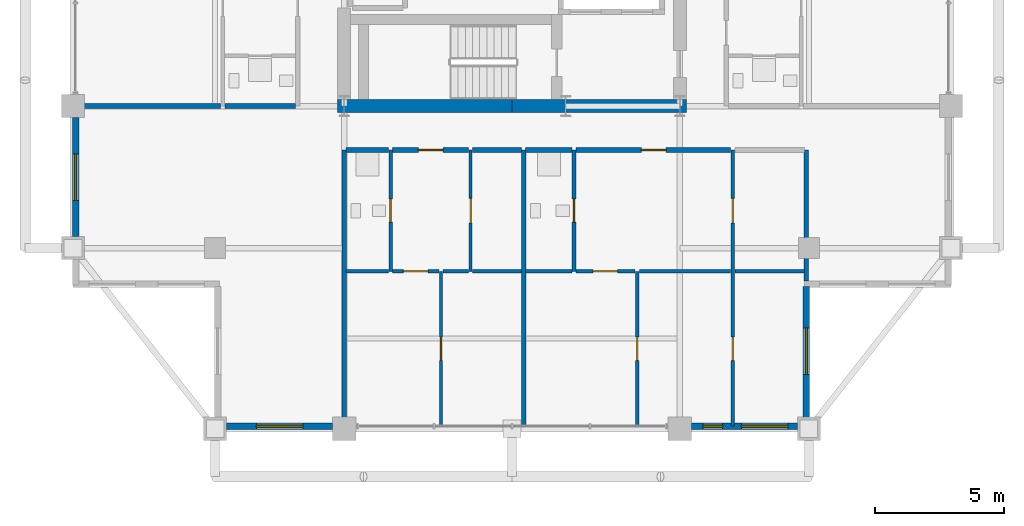
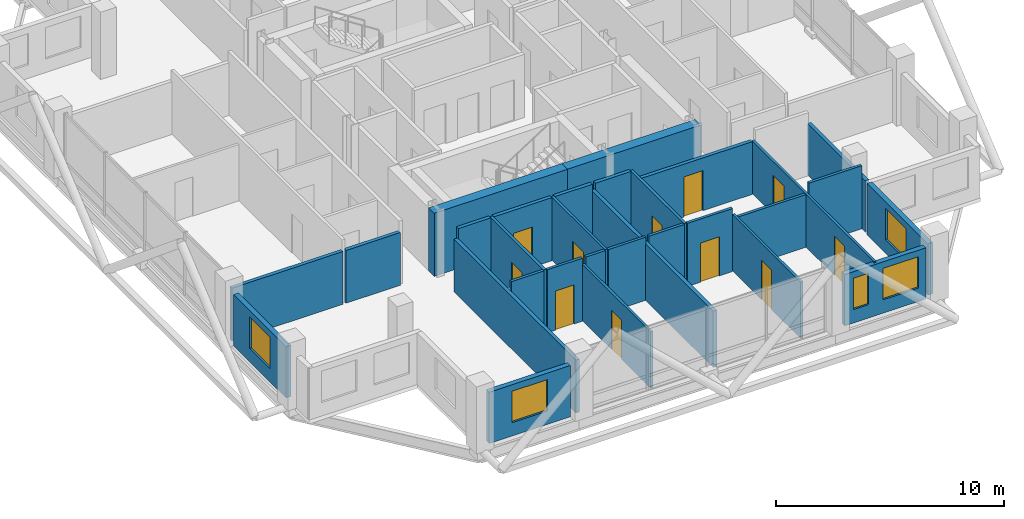
# One storey, part 19 of 25: 30 walls, 11 doors, 5 windows, 16 openings.
"""IFC4 building model written with IfcOpenShell, lengths in metres."""

from ifc_helpers import new_model, si_unit, direction, frame, frame_2d, origin, place, context, subcontext, project, spatial, rectangle, extrude, material, layer, layer_set, type_object, element, fill, save


model = new_model("IFC4")

# Units and contexts
model_context = context("Model", 3, precision=1e-05, world=origin(), true_north=direction((0.0, 1.0)))
body_context = subcontext(model_context, "Body", "Model", "MODEL_VIEW")
ifc_project = project(units=[si_unit("LENGTHUNIT", "METRE"), si_unit("AREAUNIT", "SQUARE_METRE"), si_unit("VOLUMEUNIT", "CUBIC_METRE"), si_unit("PLANEANGLEUNIT", "RADIAN"), si_unit("MASSUNIT", "GRAM", prefix="KILO")], contexts=[model_context])

# Site, building, storey
site_placement = place(None, origin())
site = spatial("IfcSite", under=ifc_project, at=site_placement, CompositionType="ELEMENT")
building_placement = place(site_placement, origin())
building = spatial("IfcBuilding", under=site, at=building_placement, Name="Barlavira Tower and Art Museum", CompositionType="ELEMENT")
storey_placement = place(building_placement, frame((0.0, 0.0, 229.5)))
storey = spatial("IfcBuildingStorey", under=building, at=storey_placement, Name="L59", CompositionType="ELEMENT", Elevation=229.5)

# Wall, opening, door
ifc_material_1 = material(Name="Gypsum acoustic stud partition", Category="gypsum")
ifc_layer_1 = layer(ifc_material_1, 0.1201171875, Name="Gypsum acoustic stud partition")
ifc_layer_set_1 = layer_set([ifc_layer_1], Name="Gypsum acoustic stud partition")
wall_type_1 = type_object("IfcWallType", Name="Apartment Internal Acoustic Partition 120", PredefinedType="PARTITIONING", material=ifc_layer_set_1)
wall_1_placement = place(storey_placement, frame((-2.75, -19.89990234375, 0.0), z_axis=(0.0, 0.0, 1.0), x_axis=(0.0, 1.0, 0.0)))
wall_1 = element("IfcWall", 1, at=wall_1_placement, inside=storey, type_object=wall_type_1, Name="L59 Partition Wall 9", PredefinedType="PARTITIONING", context=body_context, shape_type="SweptSolid", body=[
    extrude(rectangle(XDim=6.0, YDim=0.1201171875, at=frame_2d((3.0, 0.0))), origin(), (0.0, 0.0, 1.0), 3.01806640625),
])
opening_1_placement = place(wall_1_placement, frame((2.550048828125, 0.0, 0.0)))
opening_1 = element("IfcOpeningElement", 2, at=opening_1_placement, cuts=wall_1, Name="Opening D-01", PredefinedType="OPENING", context=body_context, shape_type="SweptSolid", body=[
    extrude(rectangle(XDim=0.89990234375, YDim=2.10009765625, at=frame_2d((0.449951171875, 1.050048828125))), frame((0.0, 0.070068359375, 0.0), z_axis=(0.0, -1.0, 0.0), x_axis=(1.0, 0.0, 0.0)), (0.0, 0.0, 1.0), 0.14013671875),
])
ifc_material_2 = material(Name="Engineered coastal hardwood", Category="wood")
door_type_1 = type_object("IfcDoorType", Name="Internal Bedroom Timber Flush Door 900x2100", OperationType="NOTDEFINED", PredefinedType="DOOR", material=ifc_material_2)
door_1_placement = place(opening_1_placement, origin())
door_1 = element("IfcDoor", 3, at=door_1_placement, inside=storey, type_object=door_type_1, Name="Apartment S1 Bedroom 1 Door", OperationType="SINGLE_SWING_RIGHT", OverallHeight=2.10009765625, OverallWidth=0.89990234375, PredefinedType="DOOR", context=body_context, shape_type="SweptSolid", body=[
    extrude(rectangle(XDim=0.89990234375, YDim=2.10009765625, at=frame_2d((0.449951171875, 1.050048828125))), frame((0.0, 0.02490234375, 0.0), z_axis=(0.0, -1.0, 0.0), x_axis=(1.0, 0.0, 0.0)), (0.0, 0.0, 1.0), 0.050048828125),
])
fill(opening_1, door_1)

wall_2_placement = place(storey_placement, frame((-1.60009765625, -13.89990234375, 0.0), z_axis=(0.0, 0.0, 1.0), x_axis=(0.0, 1.0, 0.0)))
wall_2 = element("IfcWall", 4, at=wall_2_placement, inside=storey, type_object=wall_type_1, Name="L59 Partition Wall 11", PredefinedType="PARTITIONING", context=body_context, shape_type="SweptSolid", body=[
    extrude(rectangle(XDim=4.699951171875, YDim=0.1201171875, at=frame_2d((2.35009765625, 0.0))), origin(), (0.0, 0.0, 1.0), 3.3798828125),
])
opening_2_placement = place(wall_2_placement, frame((1.875, 0.0, 0.0)))
opening_2 = element("IfcOpeningElement", 5, at=opening_2_placement, cuts=wall_2, Name="Opening D-02", PredefinedType="OPENING", context=body_context, shape_type="SweptSolid", body=[
    extrude(rectangle(XDim=0.949951171875, YDim=2.10009765625, at=frame_2d((0.47509765625, 1.050048828125))), frame((0.0, 0.070068359375, 0.0), z_axis=(0.0, -1.0, 0.0), x_axis=(1.0, 0.0, 0.0)), (0.0, 0.0, 1.0), 0.14013671875),
])
door_type_2 = type_object("IfcDoorType", Name="Living and Salon Glazed-Leaf Door 950x2100", OperationType="NOTDEFINED", PredefinedType="DOOR", material=ifc_material_2)
door_2_placement = place(opening_2_placement, origin())
door_2 = element("IfcDoor", 6, at=door_2_placement, inside=storey, type_object=door_type_2, Name="Apartment S1 Kitchen Door", OperationType="SINGLE_SWING_RIGHT", OverallHeight=2.10009765625, OverallWidth=0.949951171875, PredefinedType="DOOR", context=body_context, shape_type="SweptSolid", body=[
    extrude(rectangle(XDim=0.949951171875, YDim=2.10009765625, at=frame_2d((0.47509765625, 1.050048828125))), frame((0.0, 0.02490234375, 0.0), z_axis=(0.0, -1.0, 0.0), x_axis=(1.0, 0.0, 0.0)), (0.0, 0.0, 1.0), 0.050048828125),
])
fill(opening_2, door_2)

wall_3_placement = place(storey_placement, frame((4.85009765625, -19.89990234375, 0.0), z_axis=(0.0, 0.0, 1.0), x_axis=(0.0, 1.0, 0.0)))
wall_3 = element("IfcWall", 7, at=wall_3_placement, inside=storey, type_object=wall_type_1, Name="L59 Partition Wall 19", PredefinedType="PARTITIONING", context=body_context, shape_type="SweptSolid", body=[
    extrude(rectangle(XDim=6.0, YDim=0.1201171875, at=frame_2d((3.0, 0.0))), origin(), (0.0, 0.0, 1.0), 3.01806640625),
])
opening_3_placement = place(wall_3_placement, frame((2.550048828125, 0.0, 0.0)))
opening_3 = element("IfcOpeningElement", 8, at=opening_3_placement, cuts=wall_3, Name="Opening D-01", PredefinedType="OPENING", context=body_context, shape_type="SweptSolid", body=[
    extrude(rectangle(XDim=0.89990234375, YDim=2.10009765625, at=frame_2d((0.449951171875, 1.050048828125))), frame((0.0, 0.070068359375, 0.0), z_axis=(0.0, -1.0, 0.0), x_axis=(1.0, 0.0, 0.0)), (0.0, 0.0, 1.0), 0.14013671875),
])
door_3_placement = place(opening_3_placement, origin())
door_3 = element("IfcDoor", 9, at=door_3_placement, inside=storey, type_object=door_type_1, Name="Apartment S2 Bedroom 1 Door", OperationType="SINGLE_SWING_LEFT", OverallHeight=2.10009765625, OverallWidth=0.89990234375, PredefinedType="DOOR", context=body_context, shape_type="SweptSolid", body=[
    extrude(rectangle(XDim=0.89990234375, YDim=2.10009765625, at=frame_2d((0.449951171875, 1.050048828125))), frame((0.0, 0.02490234375, 0.0), z_axis=(0.0, -1.0, 0.0), x_axis=(1.0, 0.0, 0.0)), (0.0, 0.0, 1.0), 0.050048828125),
])
fill(opening_3, door_3)

# Wall, openings, doors
wall_4_placement = place(storey_placement, frame((8.550048828125, -19.89990234375, 0.0), z_axis=(0.0, 0.0, 1.0), x_axis=(0.0, 1.0, 0.0)))
wall_4 = element("IfcWall", 10, at=wall_4_placement, inside=storey, type_object=wall_type_1, Name="L59 Partition Wall 24", PredefinedType="PARTITIONING", context=body_context, shape_type="SweptSolid", body=[
    extrude(rectangle(XDim=10.699951171875, YDim=0.1201171875, at=frame_2d((5.35009765625, 0.0))), origin(), (0.0, 0.0, 1.0), 2.825927734375),
])
opening_4_placement = place(wall_4_placement, frame((7.875, 0.0, 0.0)))
opening_4 = element("IfcOpeningElement", 11, at=opening_4_placement, cuts=wall_4, Name="Opening D-02", PredefinedType="OPENING", context=body_context, shape_type="SweptSolid", body=[
    extrude(rectangle(XDim=0.949951171875, YDim=2.10009765625, at=frame_2d((0.47509765625, 1.050048828125))), frame((0.0, 0.070068359375, 0.0), z_axis=(0.0, -1.0, 0.0), x_axis=(1.0, 0.0, 0.0)), (0.0, 0.0, 1.0), 0.14013671875),
])
opening_5_placement = place(wall_4_placement, frame((2.550048828125, 0.0, 0.0)))
opening_5 = element("IfcOpeningElement", 12, at=opening_5_placement, cuts=wall_4, Name="Opening D-01", PredefinedType="OPENING", context=body_context, shape_type="SweptSolid", body=[
    extrude(rectangle(XDim=0.89990234375, YDim=2.10009765625, at=frame_2d((0.449951171875, 1.050048828125))), frame((0.0, 0.070068359375, 0.0), z_axis=(0.0, -1.0, 0.0), x_axis=(1.0, 0.0, 0.0)), (0.0, 0.0, 1.0), 0.14013671875),
])
door_4_placement = place(opening_5_placement, origin())
door_4 = element("IfcDoor", 13, at=door_4_placement, inside=storey, type_object=door_type_1, Name="Apartment S2 Bedroom 2 Door", OperationType="SINGLE_SWING_RIGHT", OverallHeight=2.10009765625, OverallWidth=0.89990234375, PredefinedType="DOOR", context=body_context, shape_type="SweptSolid", body=[
    extrude(rectangle(XDim=0.89990234375, YDim=2.10009765625, at=frame_2d((0.449951171875, 1.050048828125))), frame((0.0, 0.02490234375, 0.0), z_axis=(0.0, -1.0, 0.0), x_axis=(1.0, 0.0, 0.0)), (0.0, 0.0, 1.0), 0.050048828125),
])
fill(opening_5, door_4)
door_5_placement = place(opening_4_placement, origin())
door_5 = element("IfcDoor", 14, at=door_5_placement, inside=storey, type_object=door_type_2, Name="Apartment S2 Kitchen Door", OperationType="SINGLE_SWING_LEFT", OverallHeight=2.10009765625, OverallWidth=0.949951171875, PredefinedType="DOOR", context=body_context, shape_type="SweptSolid", body=[
    extrude(rectangle(XDim=0.949951171875, YDim=2.10009765625, at=frame_2d((0.47509765625, 1.050048828125))), frame((0.0, 0.02490234375, 0.0), z_axis=(0.0, -1.0, 0.0), x_axis=(1.0, 0.0, 0.0)), (0.0, 0.0, 1.0), 0.050048828125),
])
fill(opening_4, door_5)

# Walls
ifc_material_3 = material(Name="Concrete C60", Category="concrete")
ifc_layer_2 = layer(ifc_material_3, 0.5, Name="Concrete C60")
ifc_layer_set_2 = layer_set([ifc_layer_2], Name="Concrete C60")
wall_type_2 = type_object("IfcWallType", Name="Core Structural Shear Wall 500 Concrete C60", PredefinedType="SHEAR", material=ifc_layer_set_2)
for number, where, z_axis, x_axis, name in (
    (15, (-6.75, -7.5, 0.0), (0.0, 0.0, 1.0), (1.0, 0.0, 0.0), "L59 Core Shear Wall CS-SW"),
    (16, (0.0, -7.5, 0.0), (0.0, 0.0, 1.0), (1.0, 0.0, 0.0), "L59 Core Shear Wall CS-SE"),
):
    element("IfcWall", number, at=place(storey_placement, frame(where, z_axis=z_axis, x_axis=x_axis)), inside=storey, type_object=wall_type_2, Name=name, PredefinedType="SHEAR", context=body_context, shape_type="SweptSolid", body=[
        extrude(rectangle(XDim=6.75, YDim=0.5, at=frame_2d((3.375, 0.0))), origin(), (0.0, 0.0, 1.0), 3.3798828125),
    ])
ifc_layer_3 = layer(ifc_material_1, 0.179931640625, Name="Gypsum acoustic stud partition")
ifc_layer_set_3 = layer_set([ifc_layer_3], Name="Gypsum acoustic stud partition")
wall_type_3 = type_object("IfcWallType", Name="Inter-Tenancy Party Partition Wall 180", PredefinedType="PARTITIONING", material=ifc_layer_set_3)
wall_5_placement = place(storey_placement, frame((-6.5, -19.89990234375, 0.0), z_axis=(0.0, 0.0, 1.0), x_axis=(0.0, 1.0, 0.0)))
element("IfcWall", 17, at=wall_5_placement, inside=storey, type_object=wall_type_3, Name="L59 Partition Wall 3", PredefinedType="PARTITIONING", context=body_context, shape_type="SweptSolid", body=[
    extrude(rectangle(XDim=10.699951171875, YDim=0.179931640625, at=frame_2d((5.35009765625, 0.0))), origin(), (0.0, 0.0, 1.0), 2.825927734375),
])
wall_6_placement = place(storey_placement, frame((0.449951171875, -19.89990234375, 0.0), z_axis=(0.0, 0.0, 1.0), x_axis=(0.0, 1.0, 0.0)))
element("IfcWall", 18, at=wall_6_placement, inside=storey, type_object=wall_type_3, Name="L59 Partition Wall 13", PredefinedType="PARTITIONING", context=body_context, shape_type="SweptSolid", body=[
    extrude(rectangle(XDim=10.699951171875, YDim=0.179931640625, at=frame_2d((5.35009765625, 0.0))), origin(), (0.0, 0.0, 1.0), 3.01806640625),
])
wall_7_placement = place(storey_placement, frame((11.39990234375, -14.27001953125, 0.0), z_axis=(0.0, 0.0, 1.0), x_axis=(0.0, 1.0, 0.0)))
element("IfcWall", 19, at=wall_7_placement, inside=storey, type_object=wall_type_3, Name="L59 Partition Wall 28", PredefinedType="PARTITIONING", context=body_context, shape_type="SweptSolid", body=[
    extrude(rectangle(XDim=5.070068359375, YDim=0.179931640625, at=frame_2d((2.53515625, 0.0))), origin(), (0.0, 0.0, 1.0), 2.748046875),
])
wall_8_placement = place(storey_placement, frame((-6.419921875, -9.199951171875, 0.0), z_axis=(0.0, 0.0, 1.0), x_axis=(1.0, 0.0, 0.0)))
element("IfcWall", 20, at=wall_8_placement, inside=storey, type_object=wall_type_3, Name="L59 Partition Wall 38", PredefinedType="PARTITIONING", context=body_context, shape_type="SweptSolid", body=[
    extrude(rectangle(XDim=1.639892578125, YDim=0.179931640625, at=frame_2d((0.81982421875, 0.0))), origin(), (0.0, 0.0, 1.0), 3.3798828125),
])

# Wall, opening, door
wall_9_placement = place(storey_placement, frame((-4.6201171875, -9.199951171875, 0.0), z_axis=(0.0, 0.0, 1.0), x_axis=(1.0, 0.0, 0.0)))
wall_9 = element("IfcWall", 21, at=wall_9_placement, inside=storey, type_object=wall_type_3, Name="L59 Partition Wall 39", PredefinedType="PARTITIONING", context=body_context, shape_type="SweptSolid", body=[
    extrude(rectangle(XDim=2.940185546875, YDim=0.179931640625, at=frame_2d((1.47021484375, 0.0))), origin(), (0.0, 0.0, 1.0), 3.3798828125),
])
opening_6_placement = place(wall_9_placement, frame((0.9951171875, 0.0, 0.0)))
opening_6 = element("IfcOpeningElement", 22, at=opening_6_placement, cuts=wall_9, Name="Opening FD-60", PredefinedType="OPENING", context=body_context, shape_type="SweptSolid", body=[
    extrude(rectangle(XDim=0.949951171875, YDim=2.14990234375, at=frame_2d((0.47509765625, 1.074951171875))), frame((0.0, 0.10009765625, 0.0), z_axis=(0.0, -1.0, 0.0), x_axis=(1.0, 0.0, 0.0)), (0.0, 0.0, 1.0), 0.199951171875),
])
ifc_material_4 = material(Name="Brushed stainless steel", Category="steel")
door_type_3 = type_object("IfcDoorType", Name="Apartment Entrance and Riser Fire Door 950x2150 FD60S", OperationType="NOTDEFINED", PredefinedType="DOOR", material=ifc_material_4)
door_6_placement = place(opening_6_placement, origin())
door_6 = element("IfcDoor", 23, at=door_6_placement, inside=storey, type_object=door_type_3, Name="Apartment Entrance Hall S1 Door", OperationType="SINGLE_SWING_LEFT", OverallHeight=2.14990234375, OverallWidth=0.949951171875, PredefinedType="DOOR", context=body_context, shape_type="SweptSolid", body=[
    extrude(rectangle(XDim=0.949951171875, YDim=2.14990234375, at=frame_2d((0.47509765625, 1.074951171875))), frame((0.0, 0.02490234375, 0.0), z_axis=(0.0, -1.0, 0.0), x_axis=(1.0, 0.0, 0.0)), (0.0, 0.0, 1.0), 0.050048828125),
])
fill(opening_6, door_6)

# Walls
wall_10_placement = place(storey_placement, frame((-1.52001953125, -9.199951171875, 0.0), z_axis=(0.0, 0.0, 1.0), x_axis=(1.0, 0.0, 0.0)))
element("IfcWall", 24, at=wall_10_placement, inside=storey, type_object=wall_type_3, Name="L59 Partition Wall 40", PredefinedType="PARTITIONING", context=body_context, shape_type="SweptSolid", body=[
    extrude(rectangle(XDim=1.89013671875, YDim=0.179931640625, at=frame_2d((0.945068359375, 0.0))), origin(), (0.0, 0.0, 1.0), 3.3798828125),
])
wall_11_placement = place(storey_placement, frame((0.530029296875, -9.199951171875, 0.0), z_axis=(0.0, 0.0, 1.0), x_axis=(1.0, 0.0, 0.0)))
element("IfcWall", 25, at=wall_11_placement, inside=storey, type_object=wall_type_3, Name="L59 Partition Wall 41", PredefinedType="PARTITIONING", context=body_context, shape_type="SweptSolid", body=[
    extrude(rectangle(XDim=1.7900390625, YDim=0.179931640625, at=frame_2d((0.89501953125, 0.0))), origin(), (0.0, 0.0, 1.0), 3.3798828125),
])

# Wall, opening, door
wall_12_placement = place(storey_placement, frame((2.47998046875, -9.199951171875, 0.0), z_axis=(0.0, 0.0, 1.0), x_axis=(1.0, 0.0, 0.0)))
wall_12 = element("IfcWall", 26, at=wall_12_placement, inside=storey, type_object=wall_type_3, Name="L59 Partition Wall 42", PredefinedType="PARTITIONING", context=body_context, shape_type="SweptSolid", body=[
    extrude(rectangle(XDim=5.989990234375, YDim=0.179931640625, at=frame_2d((2.9951171875, 0.0))), origin(), (0.0, 0.0, 1.0), 2.825927734375),
])
opening_7_placement = place(wall_12_placement, frame((2.534912109375, 0.0, 0.0)))
opening_7 = element("IfcOpeningElement", 27, at=opening_7_placement, cuts=wall_12, Name="Opening FD-60", PredefinedType="OPENING", context=body_context, shape_type="SweptSolid", body=[
    extrude(rectangle(XDim=0.949951171875, YDim=2.14990234375, at=frame_2d((0.47509765625, 1.074951171875))), frame((0.0, 0.10009765625, 0.0), z_axis=(0.0, -1.0, 0.0), x_axis=(1.0, 0.0, 0.0)), (0.0, 0.0, 1.0), 0.199951171875),
])
door_7_placement = place(opening_7_placement, origin())
door_7 = element("IfcDoor", 28, at=door_7_placement, inside=storey, type_object=door_type_3, Name="Apartment Entrance Hall S2 Door", OperationType="SINGLE_SWING_RIGHT", OverallHeight=2.14990234375, OverallWidth=0.949951171875, PredefinedType="DOOR", context=body_context, shape_type="SweptSolid", body=[
    extrude(rectangle(XDim=0.949951171875, YDim=2.14990234375, at=frame_2d((0.47509765625, 1.074951171875))), frame((0.0, 0.02490234375, 0.0), z_axis=(0.0, -1.0, 0.0), x_axis=(1.0, 0.0, 0.0)), (0.0, 0.0, 1.0), 0.050048828125),
])
fill(opening_7, door_7)

# Walls
wall_13_placement = place(storey_placement, frame((-16.89990234375, -7.5, 0.0), z_axis=(0.0, 0.0, 1.0), x_axis=(1.0, 0.0, 0.0)))
element("IfcWall", 29, at=wall_13_placement, inside=storey, type_object=wall_type_3, Name="L59 Partition Wall 44", PredefinedType="PARTITIONING", context=body_context, shape_type="SweptSolid", body=[
    extrude(rectangle(XDim=5.619873046875, YDim=0.179931640625, at=frame_2d((2.81005859375, 0.0))), origin(), (0.0, 0.0, 1.0), 2.825927734375),
])
wall_14_placement = place(storey_placement, frame((-11.1201171875, -7.5, 0.0), z_axis=(0.0, 0.0, 1.0), x_axis=(1.0, 0.0, 0.0)))
element("IfcWall", 30, at=wall_14_placement, inside=storey, type_object=wall_type_3, Name="L59 Partition Wall 45", PredefinedType="PARTITIONING", context=body_context, shape_type="SweptSolid", body=[
    extrude(rectangle(XDim=2.740234375, YDim=0.179931640625, at=frame_2d((1.3701171875, 0.0))), origin(), (0.0, 0.0, 1.0), 2.825927734375),
])

# Wall, opening, door
ifc_layer_4 = layer(ifc_material_1, 0.139892578125, Name="Gypsum acoustic stud partition")
ifc_layer_set_4 = layer_set([ifc_layer_4], Name="Gypsum acoustic stud partition")
wall_type_4 = type_object("IfcWallType", Name="Moisture-Resistant Bathroom Partition 140", PredefinedType="PARTITIONING", material=ifc_layer_set_4)
wall_15_placement = place(storey_placement, frame((-4.699951171875, -13.89990234375, 0.0), z_axis=(0.0, 0.0, 1.0), x_axis=(0.0, 1.0, 0.0)))
wall_15 = element("IfcWall", 31, at=wall_15_placement, inside=storey, type_object=wall_type_4, Name="L59 Partition Wall 6", PredefinedType="PARTITIONING", context=body_context, shape_type="SweptSolid", body=[
    extrude(rectangle(XDim=4.699951171875, YDim=0.139892578125, at=frame_2d((2.35009765625, 0.0))), origin(), (0.0, 0.0, 1.0), 3.3798828125),
])
opening_8_placement = place(wall_15_placement, frame((1.89990234375, 0.0, 0.0)))
opening_8 = element("IfcOpeningElement", 32, at=opening_8_placement, cuts=wall_15, Name="Opening D-WC", PredefinedType="OPENING", context=body_context, shape_type="SweptSolid", body=[
    extrude(rectangle(XDim=0.89990234375, YDim=2.10009765625, at=frame_2d((0.449951171875, 1.050048828125))), frame((0.0, 0.080078125, 0.0), z_axis=(0.0, -1.0, 0.0), x_axis=(1.0, 0.0, 0.0)), (0.0, 0.0, 1.0), 0.159912109375),
])
door_type_4 = type_object("IfcDoorType", Name="Accessible Bathroom Flush Door 900x2100", OperationType="NOTDEFINED", PredefinedType="DOOR", material=ifc_material_2)
door_8_placement = place(opening_8_placement, origin())
door_8 = element("IfcDoor", 33, at=door_8_placement, inside=storey, type_object=door_type_4, Name="Apartment S1 Hall Bathroom Door", OperationType="SINGLE_SWING_RIGHT", OverallHeight=2.10009765625, OverallWidth=0.89990234375, PredefinedType="DOOR", context=body_context, shape_type="SweptSolid", body=[
    extrude(rectangle(XDim=0.89990234375, YDim=2.10009765625, at=frame_2d((0.449951171875, 1.050048828125))), frame((0.0, 0.02490234375, 0.0), z_axis=(0.0, -1.0, 0.0), x_axis=(1.0, 0.0, 0.0)), (0.0, 0.0, 1.0), 0.050048828125),
])
fill(opening_8, door_8)

wall_16_placement = place(storey_placement, frame((2.39990234375, -13.89990234375, 0.0), z_axis=(0.0, 0.0, 1.0), x_axis=(0.0, 1.0, 0.0)))
wall_16 = element("IfcWall", 34, at=wall_16_placement, inside=storey, type_object=wall_type_4, Name="L59 Partition Wall 15", PredefinedType="PARTITIONING", context=body_context, shape_type="SweptSolid", body=[
    extrude(rectangle(XDim=4.699951171875, YDim=0.139892578125, at=frame_2d((2.35009765625, 0.0))), origin(), (0.0, 0.0, 1.0), 3.3798828125),
])
opening_9_placement = place(wall_16_placement, frame((1.89990234375, 0.0, 0.0)))
opening_9 = element("IfcOpeningElement", 35, at=opening_9_placement, cuts=wall_16, Name="Opening D-WC", PredefinedType="OPENING", context=body_context, shape_type="SweptSolid", body=[
    extrude(rectangle(XDim=0.89990234375, YDim=2.10009765625, at=frame_2d((0.449951171875, 1.050048828125))), frame((0.0, 0.080078125, 0.0), z_axis=(0.0, -1.0, 0.0), x_axis=(1.0, 0.0, 0.0)), (0.0, 0.0, 1.0), 0.159912109375),
])
door_9_placement = place(opening_9_placement, origin())
door_9 = element("IfcDoor", 36, at=door_9_placement, inside=storey, type_object=door_type_4, Name="Apartment S2 Hall Bathroom Door", OperationType="SINGLE_SWING_LEFT", OverallHeight=2.10009765625, OverallWidth=0.89990234375, PredefinedType="DOOR", context=body_context, shape_type="SweptSolid", body=[
    extrude(rectangle(XDim=0.89990234375, YDim=2.10009765625, at=frame_2d((0.449951171875, 1.050048828125))), frame((0.0, 0.02490234375, 0.0), z_axis=(0.0, -1.0, 0.0), x_axis=(1.0, 0.0, 0.0)), (0.0, 0.0, 1.0), 0.050048828125),
])
fill(opening_9, door_9)

# Wall
wall_17_placement = place(storey_placement, frame((-6.419921875, -13.89990234375, 0.0), z_axis=(0.0, 0.0, 1.0), x_axis=(1.0, 0.0, 0.0)))
element("IfcWall", 37, at=wall_17_placement, inside=storey, type_object=wall_type_4, Name="L59 Partition Wall 30", PredefinedType="PARTITIONING", context=body_context, shape_type="SweptSolid", body=[
    extrude(rectangle(XDim=1.639892578125, YDim=0.139892578125, at=frame_2d((0.81982421875, 0.0))), origin(), (0.0, 0.0, 1.0), 3.3798828125),
])

# Wall, opening, door
wall_18_placement = place(storey_placement, frame((-4.6201171875, -13.89990234375, 0.0), z_axis=(0.0, 0.0, 1.0), x_axis=(1.0, 0.0, 0.0)))
wall_18 = element("IfcWall", 38, at=wall_18_placement, inside=storey, type_object=wall_type_4, Name="L59 Partition Wall 31", PredefinedType="PARTITIONING", context=body_context, shape_type="SweptSolid", body=[
    extrude(rectangle(XDim=1.7900390625, YDim=0.139892578125, at=frame_2d((0.89501953125, 0.0))), origin(), (0.0, 0.0, 1.0), 3.3798828125),
])
opening_10_placement = place(wall_18_placement, frame((0.4150390625, 0.0, 0.0)))
opening_10 = element("IfcOpeningElement", 39, at=opening_10_placement, cuts=wall_18, Name="Opening D-02", PredefinedType="OPENING", context=body_context, shape_type="SweptSolid", body=[
    extrude(rectangle(XDim=0.949951171875, YDim=2.10009765625, at=frame_2d((0.47509765625, 1.050048828125))), frame((0.0, 0.080078125, 0.0), z_axis=(0.0, -1.0, 0.0), x_axis=(1.0, 0.0, 0.0)), (0.0, 0.0, 1.0), 0.159912109375),
])
door_10_placement = place(opening_10_placement, origin())
door_10 = element("IfcDoor", 40, at=door_10_placement, inside=storey, type_object=door_type_2, Name="Apartment S1 Living Lounge Door", OperationType="SINGLE_SWING_LEFT", OverallHeight=2.10009765625, OverallWidth=0.949951171875, PredefinedType="DOOR", context=body_context, shape_type="SweptSolid", body=[
    extrude(rectangle(XDim=0.949951171875, YDim=2.10009765625, at=frame_2d((0.47509765625, 1.050048828125))), frame((0.0, 0.02490234375, 0.0), z_axis=(0.0, -1.0, 0.0), x_axis=(1.0, 0.0, 0.0)), (0.0, 0.0, 1.0), 0.050048828125),
])
fill(opening_10, door_10)

# Walls
wall_19_placement = place(storey_placement, frame((-2.669921875, -13.89990234375, 0.0), z_axis=(0.0, 0.0, 1.0), x_axis=(1.0, 0.0, 0.0)))
element("IfcWall", 41, at=wall_19_placement, inside=storey, type_object=wall_type_4, Name="L59 Partition Wall 32", PredefinedType="PARTITIONING", context=body_context, shape_type="SweptSolid", body=[
    extrude(rectangle(XDim=0.989990234375, YDim=0.139892578125, at=frame_2d((0.4951171875, 0.0))), origin(), (0.0, 0.0, 1.0), 3.3798828125),
])
wall_20_placement = place(storey_placement, frame((-1.52001953125, -13.89990234375, 0.0), z_axis=(0.0, 0.0, 1.0), x_axis=(1.0, 0.0, 0.0)))
element("IfcWall", 42, at=wall_20_placement, inside=storey, type_object=wall_type_4, Name="L59 Partition Wall 33", PredefinedType="PARTITIONING", context=body_context, shape_type="SweptSolid", body=[
    extrude(rectangle(XDim=1.89013671875, YDim=0.139892578125, at=frame_2d((0.945068359375, 0.0))), origin(), (0.0, 0.0, 1.0), 3.3798828125),
])
wall_21_placement = place(storey_placement, frame((0.530029296875, -13.89990234375, 0.0), z_axis=(0.0, 0.0, 1.0), x_axis=(1.0, 0.0, 0.0)))
element("IfcWall", 43, at=wall_21_placement, inside=storey, type_object=wall_type_4, Name="L59 Partition Wall 34", PredefinedType="PARTITIONING", context=body_context, shape_type="SweptSolid", body=[
    extrude(rectangle(XDim=1.7900390625, YDim=0.139892578125, at=frame_2d((0.89501953125, 0.0))), origin(), (0.0, 0.0, 1.0), 3.3798828125),
])

# Wall, opening, door
wall_22_placement = place(storey_placement, frame((2.47998046875, -13.89990234375, 0.0), z_axis=(0.0, 0.0, 1.0), x_axis=(1.0, 0.0, 0.0)))
wall_22 = element("IfcWall", 44, at=wall_22_placement, inside=storey, type_object=wall_type_4, Name="L59 Partition Wall 35", PredefinedType="PARTITIONING", context=body_context, shape_type="SweptSolid", body=[
    extrude(rectangle(XDim=2.2900390625, YDim=0.139892578125, at=frame_2d((1.14501953125, 0.0))), origin(), (0.0, 0.0, 1.0), 3.3798828125),
])
opening_11_placement = place(wall_22_placement, frame((0.6650390625, 0.0, 0.0)))
opening_11 = element("IfcOpeningElement", 45, at=opening_11_placement, cuts=wall_22, Name="Opening D-02", PredefinedType="OPENING", context=body_context, shape_type="SweptSolid", body=[
    extrude(rectangle(XDim=0.949951171875, YDim=2.10009765625, at=frame_2d((0.47509765625, 1.050048828125))), frame((0.0, 0.080078125, 0.0), z_axis=(0.0, -1.0, 0.0), x_axis=(1.0, 0.0, 0.0)), (0.0, 0.0, 1.0), 0.159912109375),
])
door_11_placement = place(opening_11_placement, origin())
door_11 = element("IfcDoor", 46, at=door_11_placement, inside=storey, type_object=door_type_2, Name="Apartment S2 Living Lounge Door", OperationType="SINGLE_SWING_RIGHT", OverallHeight=2.10009765625, OverallWidth=0.949951171875, PredefinedType="DOOR", context=body_context, shape_type="SweptSolid", body=[
    extrude(rectangle(XDim=0.949951171875, YDim=2.10009765625, at=frame_2d((0.47509765625, 1.050048828125))), frame((0.0, 0.02490234375, 0.0), z_axis=(0.0, -1.0, 0.0), x_axis=(1.0, 0.0, 0.0)), (0.0, 0.0, 1.0), 0.050048828125),
])
fill(opening_11, door_11)

# Walls
wall_23_placement = place(storey_placement, frame((4.929931640625, -13.89990234375, 0.0), z_axis=(0.0, 0.0, 1.0), x_axis=(1.0, 0.0, 0.0)))
element("IfcWall", 47, at=wall_23_placement, inside=storey, type_object=wall_type_4, Name="L59 Partition Wall 36", PredefinedType="PARTITIONING", context=body_context, shape_type="SweptSolid", body=[
    extrude(rectangle(XDim=3.5400390625, YDim=0.139892578125, at=frame_2d((1.77001953125, 0.0))), origin(), (0.0, 0.0, 1.0), 2.825927734375),
])
wall_24_placement = place(storey_placement, frame((8.6298828125, -13.89990234375, 0.0), z_axis=(0.0, 0.0, 1.0), x_axis=(1.0, 0.0, 0.0)))
element("IfcWall", 48, at=wall_24_placement, inside=storey, type_object=wall_type_4, Name="L59 Partition Wall 37", PredefinedType="PARTITIONING", context=body_context, shape_type="SweptSolid", body=[
    extrude(rectangle(XDim=2.690185546875, YDim=0.139892578125, at=frame_2d((1.34521484375, 0.0))), origin(), (0.0, 0.0, 1.0), 3.3798828125),
])

# Wall, opening, window
ifc_material_5 = material(Name="Precast concrete C40", Category="concrete")
ifc_layer_5 = layer(ifc_material_5, 0.25, Name="Precast concrete C40")
ifc_layer_set_5 = layer_set([ifc_layer_5], Name="Precast concrete C40")
wall_type_5 = type_object("IfcWallType", Name="Notched Corner Spandrel Wall 250 Precast Concrete C40", PredefinedType="SOLIDWALL", material=ifc_layer_set_5)
wall_25_placement = place(storey_placement, frame((-11.054931640625, -19.89990234375, 0.0), z_axis=(0.0, 0.0, 1.0), x_axis=(1.0, 0.0, 0.0)))
wall_25 = element("IfcWall", 49, at=wall_25_placement, inside=storey, type_object=wall_type_5, Name="L59 Coastal Facade Pier Wall CW4-L59-S-1", PredefinedType="SOLIDWALL", context=body_context, shape_type="SweptSolid", body=[
    extrude(rectangle(XDim=4.10986328125, YDim=0.25, at=frame_2d((2.054931640625, 0.0))), origin(), (0.0, 0.0, 1.0), 2.748046875),
])
opening_12_placement = place(wall_25_placement, frame((1.155029296875, 0.0, 0.719970703125)))
opening_12 = element("IfcOpeningElement", 50, at=opening_12_placement, cuts=wall_25, Name="Opening WN-01", PredefinedType="OPENING", context=body_context, shape_type="SweptSolid", body=[
    extrude(rectangle(XDim=1.800048828125, YDim=1.679931640625, at=frame_2d((0.89990234375, 0.83984375))), frame((0.0, 0.135009765625, 0.0), z_axis=(0.0, -1.0, 0.0), x_axis=(1.0, 0.0, 0.0)), (0.0, 0.0, 1.0), 0.27001953125),
])
ifc_material_6 = material(Name="Low-iron coastal laminated glass", Category="glass")
window_type_1 = type_object("IfcWindowType", Name="Recessed Notch Corner Punch Window 1800x1680", PartitioningType="SINGLE_PANEL", PredefinedType="WINDOW", material=ifc_material_6)
window_1_placement = place(opening_12_placement, origin())
window_1 = element("IfcWindow", 51, at=window_1_placement, inside=storey, type_object=window_type_1, Name="L59 Punched Facade Window EWP-CW4-L59-S-1-1", OverallHeight=1.679931640625, OverallWidth=1.800048828125, PartitioningType="SINGLE_PANEL", PredefinedType="WINDOW", context=body_context, shape_type="SweptSolid", body=[
    extrude(rectangle(XDim=1.800048828125, YDim=1.679931640625, at=frame_2d((0.89990234375, 0.83984375))), frame((0.0, 0.030029296875, 0.0), z_axis=(0.0, -1.0, 0.0), x_axis=(1.0, 0.0, 0.0)), (0.0, 0.0, 1.0), 0.06005859375),
])
fill(opening_12, window_1)

# Wall, openings, windows
wall_26_placement = place(storey_placement, frame((6.945068359375, -19.89990234375, 0.0), z_axis=(0.0, 0.0, 1.0), x_axis=(1.0, 0.0, 0.0)))
wall_26 = element("IfcWall", 52, at=wall_26_placement, inside=storey, type_object=wall_type_5, Name="L59 Coastal Facade Pier Wall CW4-L59-S-3", PredefinedType="SOLIDWALL", context=body_context, shape_type="SweptSolid", body=[
    extrude(rectangle(XDim=4.10986328125, YDim=0.25, at=frame_2d((2.054931640625, 0.0))), origin(), (0.0, 0.0, 1.0), 2.748046875),
])
opening_13_placement = place(wall_26_placement, frame((0.449951171875, 0.0, 0.719970703125)))
opening_13 = element("IfcOpeningElement", 53, at=opening_13_placement, cuts=wall_26, Name="Opening WN-06", PredefinedType="OPENING", context=body_context, shape_type="SweptSolid", body=[
    extrude(rectangle(XDim=0.760009765625, YDim=1.679931640625, at=frame_2d((0.3798828125, 0.83984375))), frame((0.0, 0.135009765625, 0.0), z_axis=(0.0, -1.0, 0.0), x_axis=(1.0, 0.0, 0.0)), (0.0, 0.0, 1.0), 0.27001953125),
])
opening_14_placement = place(wall_26_placement, frame((1.93994140625, 0.0, 0.719970703125)))
opening_14 = element("IfcOpeningElement", 54, at=opening_14_placement, cuts=wall_26, Name="Opening WN-01", PredefinedType="OPENING", context=body_context, shape_type="SweptSolid", body=[
    extrude(rectangle(XDim=1.800048828125, YDim=1.679931640625, at=frame_2d((0.89990234375, 0.83984375))), frame((0.0, 0.135009765625, 0.0), z_axis=(0.0, -1.0, 0.0), x_axis=(1.0, 0.0, 0.0)), (0.0, 0.0, 1.0), 0.27001953125),
])
window_type_2 = type_object("IfcWindowType", Name="Recessed Narrow Pier Window 760x1680", PartitioningType="SINGLE_PANEL", PredefinedType="WINDOW", material=ifc_material_6)
window_2_placement = place(opening_13_placement, origin())
window_2 = element("IfcWindow", 55, at=window_2_placement, inside=storey, type_object=window_type_2, Name="L59 Punched Facade Window EWP-CW4-L59-S-3-1", OverallHeight=1.679931640625, OverallWidth=0.760009765625, PartitioningType="SINGLE_PANEL", PredefinedType="WINDOW", context=body_context, shape_type="SweptSolid", body=[
    extrude(rectangle(XDim=0.760009765625, YDim=1.679931640625, at=frame_2d((0.3798828125, 0.83984375))), frame((0.0, 0.030029296875, 0.0), z_axis=(0.0, -1.0, 0.0), x_axis=(1.0, 0.0, 0.0)), (0.0, 0.0, 1.0), 0.06005859375),
])
fill(opening_13, window_2)
window_3_placement = place(opening_14_placement, origin())
window_3 = element("IfcWindow", 56, at=window_3_placement, inside=storey, type_object=window_type_1, Name="L59 Punched Facade Window EWP-CW4-L59-S-3-2", OverallHeight=1.679931640625, OverallWidth=1.800048828125, PartitioningType="SINGLE_PANEL", PredefinedType="WINDOW", context=body_context, shape_type="SweptSolid", body=[
    extrude(rectangle(XDim=1.800048828125, YDim=1.679931640625, at=frame_2d((0.89990234375, 0.83984375))), frame((0.0, 0.030029296875, 0.0), z_axis=(0.0, -1.0, 0.0), x_axis=(1.0, 0.0, 0.0)), (0.0, 0.0, 1.0), 0.06005859375),
])
fill(opening_14, window_3)

# Wall, opening, window
wall_27_placement = place(storey_placement, frame((-16.89990234375, -7.945068359375, 0.0), z_axis=(0.0, 0.0, 1.0), x_axis=(0.0, -1.0, 0.0)))
wall_27 = element("IfcWall", 57, at=wall_27_placement, inside=storey, type_object=wall_type_5, Name="L59 Coastal Facade Pier Wall CW4-L59-W-4", PredefinedType="SOLIDWALL", context=body_context, shape_type="SweptSolid", body=[
    extrude(rectangle(XDim=4.60986328125, YDim=0.25, at=frame_2d((2.304931640625, 0.0))), origin(), (0.0, 0.0, 1.0), 2.748046875),
])
opening_15_placement = place(wall_27_placement, frame((1.405029296875, 0.0, 0.719970703125)))
opening_15 = element("IfcOpeningElement", 58, at=opening_15_placement, cuts=wall_27, Name="Opening WN-01", PredefinedType="OPENING", context=body_context, shape_type="SweptSolid", body=[
    extrude(rectangle(XDim=1.800048828125, YDim=1.679931640625, at=frame_2d((0.89990234375, 0.83984375))), frame((0.0, 0.135009765625, 0.0), z_axis=(0.0, -1.0, 0.0), x_axis=(1.0, 0.0, 0.0)), (0.0, 0.0, 1.0), 0.27001953125),
])
window_4_placement = place(opening_15_placement, origin())
window_4 = element("IfcWindow", 59, at=window_4_placement, inside=storey, type_object=window_type_1, Name="L59 Punched Facade Window EWP-CW4-L59-W-4-1", OverallHeight=1.679931640625, OverallWidth=1.800048828125, PartitioningType="SINGLE_PANEL", PredefinedType="WINDOW", context=body_context, shape_type="SweptSolid", body=[
    extrude(rectangle(XDim=1.800048828125, YDim=1.679931640625, at=frame_2d((0.89990234375, 0.83984375))), frame((0.0, 0.030029296875, 0.0), z_axis=(0.0, -1.0, 0.0), x_axis=(1.0, 0.0, 0.0)), (0.0, 0.0, 1.0), 0.06005859375),
])
fill(opening_15, window_4)

wall_28_placement = place(storey_placement, frame((11.39990234375, -19.820068359375, 0.0), z_axis=(0.0, 0.0, 1.0), x_axis=(0.0, 1.0, 0.0)))
wall_28 = element("IfcWall", 60, at=wall_28_placement, inside=storey, type_object=wall_type_5, Name="L59 Notch Corner Wall SE1", PredefinedType="SOLIDWALL", context=body_context, shape_type="SweptSolid", body=[
    extrude(rectangle(XDim=5.340087890625, YDim=0.25, at=frame_2d((2.669921875, 0.0))), origin(), (0.0, 0.0, 1.0), 2.748046875),
])
opening_16_placement = place(wall_28_placement, frame((1.925048828125, 0.0, 0.719970703125)))
opening_16 = element("IfcOpeningElement", 61, at=opening_16_placement, cuts=wall_28, Name="Opening WN-01", PredefinedType="OPENING", context=body_context, shape_type="SweptSolid", body=[
    extrude(rectangle(XDim=1.800048828125, YDim=1.679931640625, at=frame_2d((0.89990234375, 0.83984375))), frame((0.0, 0.135009765625, 0.0), z_axis=(0.0, -1.0, 0.0), x_axis=(1.0, 0.0, 0.0)), (0.0, 0.0, 1.0), 0.27001953125),
])
window_5_placement = place(opening_16_placement, origin())
window_5 = element("IfcWindow", 62, at=window_5_placement, inside=storey, type_object=window_type_1, Name="L59 Punched Facade Window EW-NTC-L59-SE1-1", OverallHeight=1.679931640625, OverallWidth=1.800048828125, PartitioningType="SINGLE_PANEL", PredefinedType="WINDOW", context=body_context, shape_type="SweptSolid", body=[
    extrude(rectangle(XDim=1.800048828125, YDim=1.679931640625, at=frame_2d((0.89990234375, 0.83984375))), frame((0.0, 0.030029296875, 0.0), z_axis=(0.0, -1.0, 0.0), x_axis=(1.0, 0.0, 0.0)), (0.0, 0.0, 1.0), 0.06005859375),
])
fill(opening_16, window_5)

save(model, "model.ifc")
